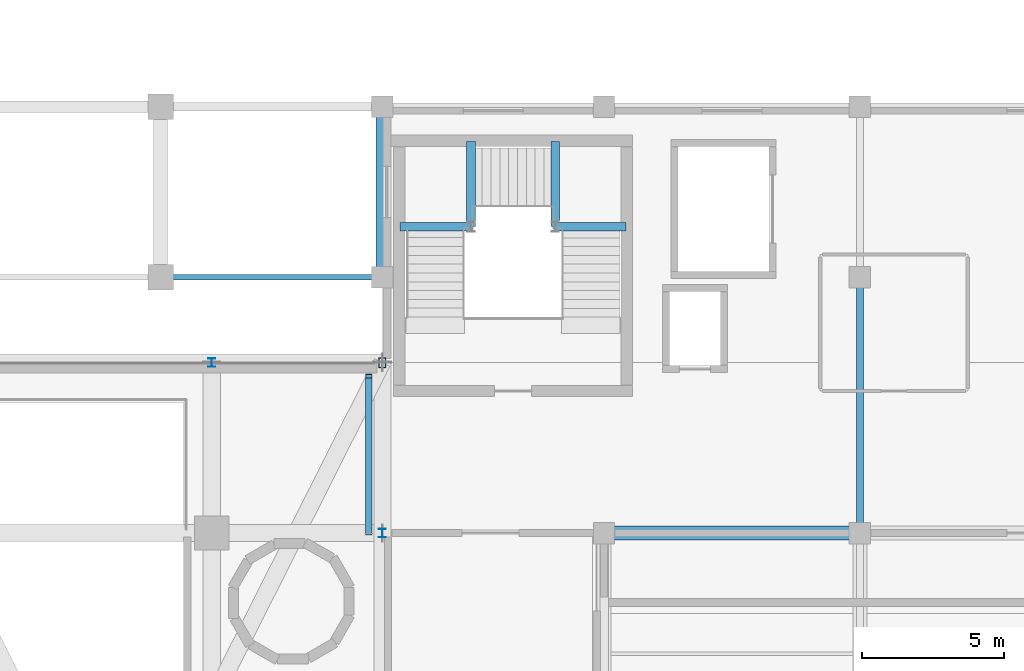
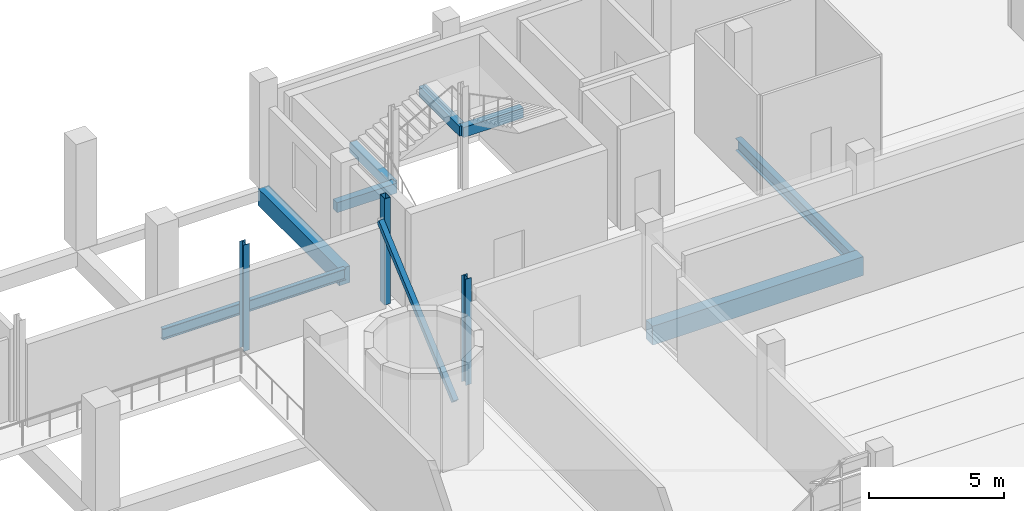
# One storey, part 42 of 100: 8 beams, 4 members.
"""IFC4 building model written with IfcOpenShell, lengths in metres."""

from ifc_helpers import new_model, si_unit, derived_unit, direction, frame, origin, origin_2d, place, context, subcontext, project, spatial, rectangle, hollow_rectangle, i_section, extrude, material, material_profile, profile_set, type_object, element, save


model = new_model("IFC4")

# Units and contexts
model_context = context("Model", 3, precision=1e-05, world=origin(), true_north=direction((0.0, 1.0)))
body_context = subcontext(model_context, "Body", "Model", "MODEL_VIEW")
ifc_project = project(units=[si_unit("LENGTHUNIT", "METRE"), si_unit("AREAUNIT", "SQUARE_METRE"), si_unit("VOLUMEUNIT", "CUBIC_METRE"), si_unit("PLANEANGLEUNIT", "RADIAN"), si_unit("MASSUNIT", "GRAM", prefix="KILO"), derived_unit("THERMALTRANSMITTANCEUNIT", [(si_unit("POWERUNIT", "WATT"), 1), (si_unit("LENGTHUNIT", "METRE"), -2), (si_unit("THERMODYNAMICTEMPERATUREUNIT", "KELVIN"), -1)])], contexts=[model_context])

# Site, building, storey
site_placement = place(None, origin())
site = spatial("IfcSite", under=ifc_project, at=site_placement, CompositionType="ELEMENT")
building_placement = place(site_placement, origin())
building = spatial("IfcBuilding", under=site, at=building_placement, Name="Nallur Shell Playhouse", CompositionType="ELEMENT")
storey_placement = place(building_placement, frame((0.0, 0.0, 10.199951171875)))
storey = spatial("IfcBuildingStorey", under=building, at=storey_placement, Name="L03", CompositionType="ELEMENT", Elevation=10.199951171875)

# Beams
ifc_material_1 = material(Name="Concrete M35", Category="concrete")
ifc_material_profile_1 = material_profile(ifc_material_1, rectangle(XDim=0.449951171875, YDim=0.75, at=origin_2d()), Name="RC 450x750")
ifc_profile_set_1 = profile_set([ifc_material_profile_1], Name="Concrete M35")
beam_type_1 = type_object("IfcBeamType", Name="BM-RC-450x750", PredefinedType="BEAM", material=ifc_profile_set_1)
beam_1_placement = place(storey_placement, frame((118.60009765625, 50.0, -0.635009765625), z_axis=(0.0, 1.0, 0.0), x_axis=(-1.0, 0.0, 0.0)))
element("IfcBeam", 1, at=beam_1_placement, inside=storey, type_object=beam_type_1, Name="L03 girder Y-15-670", PredefinedType="BEAM", context=body_context, shape_type="SweptSolid", body=[
    extrude(rectangle(XDim=0.449951171875, YDim=0.75, at=origin_2d()), origin(), (0.0, 0.0, 1.0), 6.0),
])
ifc_material_2 = material(Name="Concrete M40", Category="concrete")
ifc_material_profile_2 = material_profile(ifc_material_2, rectangle(XDim=0.5, YDim=0.85009765625, at=origin_2d()), Name="RC 500x850")
ifc_profile_set_2 = profile_set([ifc_material_profile_2], Name="Concrete M40")
beam_type_2 = type_object("IfcBeamType", Name="BM-RC-500x850", PredefinedType="BEAM", material=ifc_profile_set_2)
beam_2_placement = place(storey_placement, frame((126.39990234375, 41.0, -0.46484375), z_axis=(1.0, 0.0, 0.0), x_axis=(0.0, 1.0, 0.0)))
element("IfcBeam", 2, at=beam_2_placement, inside=storey, type_object=beam_type_2, Name="Studio raker end tie girder F (126.4-135.4)", PredefinedType="BEAM", context=body_context, shape_type="SweptSolid", body=[
    extrude(rectangle(XDim=0.5, YDim=0.85009765625, at=origin_2d()), origin(), (0.0, 0.0, 1.0), 9.0),
])
ifc_material_profile_3 = material_profile(ifc_material_1, rectangle(XDim=0.300048828125, YDim=0.449951171875, at=origin_2d()), Name="RC 300x450")
ifc_profile_set_3 = profile_set([ifc_material_profile_3], Name="Concrete M35")
beam_type_3 = type_object("IfcBeamType", Name="BM-SPN-300x450", PredefinedType="SPANDREL", material=ifc_profile_set_3)
beam_3_placement = place(storey_placement, frame((119.219970703125, 51.780029296875, 1.22509765625), z_axis=(1.0, 0.0, 0.0), x_axis=(0.0, 1.0, 0.0)))
element("IfcBeam", 3, at=beam_3_placement, inside=storey, type_object=beam_type_3, Name="Stair ST-02-L03 L1 south bearer beam", PredefinedType="SPANDREL", context=body_context, shape_type="SweptSolid", body=[
    extrude(rectangle(XDim=0.300048828125, YDim=0.449951171875, at=origin_2d()), origin(), (0.0, 0.0, 1.0), 2.56005859375),
])
beam_4_placement = place(storey_placement, frame((121.719970703125, 51.780029296875, 1.22509765625), z_axis=(0.0, 1.0, 0.0), x_axis=(-1.0, 0.0, 0.0)))
element("IfcBeam", 4, at=beam_4_placement, inside=storey, type_object=beam_type_3, Name="Stair ST-02-L03 L1 east bearer beam", PredefinedType="SPANDREL", context=body_context, shape_type="SweptSolid", body=[
    extrude(rectangle(XDim=0.300048828125, YDim=0.449951171875, at=origin_2d()), origin(), (0.0, 0.0, 1.0), 3.0),
])
beam_5_placement = place(storey_placement, frame((124.6201171875, 51.780029296875, 2.72509765625), z_axis=(1.0, 0.0, 0.0), x_axis=(0.0, 1.0, 0.0)))
element("IfcBeam", 5, at=beam_5_placement, inside=storey, type_object=beam_type_3, Name="Stair ST-02-L03 L2 south bearer beam", PredefinedType="SPANDREL", context=body_context, shape_type="SweptSolid", body=[
    extrude(rectangle(XDim=0.300048828125, YDim=0.449951171875, at=origin_2d()), origin(), (0.0, 0.0, 1.0), 2.559814453125),
])
beam_6_placement = place(storey_placement, frame((124.679931640625, 51.780029296875, 2.72509765625), z_axis=(0.0, 1.0, 0.0), x_axis=(-1.0, 0.0, 0.0)))
element("IfcBeam", 6, at=beam_6_placement, inside=storey, type_object=beam_type_3, Name="Stair ST-02-L03 L2 west bearer beam", PredefinedType="SPANDREL", context=body_context, shape_type="SweptSolid", body=[
    extrude(rectangle(XDim=0.300048828125, YDim=0.449951171875, at=origin_2d()), origin(), (0.0, 0.0, 1.0), 3.0),
])
ifc_material_3 = material(Name="Steel E350", Category="steel")
ifc_material_profile_4 = material_profile(ifc_material_3, i_section(OverallWidth=0.179931640625, OverallDepth=0.5, WebThickness=0.01025390625, FlangeThickness=0.01708984375, FilletRadius=0.01708984375, at=origin_2d()), Name="ISMB 500")
ifc_profile_set_4 = profile_set([ifc_material_profile_4], Name="Steel E350")
beam_type_4 = type_object("IfcBeamType", Name="BM-ST-ISMB500", PredefinedType="BEAM", material=ifc_profile_set_4)
beam_7_placement = place(storey_placement, frame((110.800048828125, 50.0, -0.510009765625), z_axis=(1.0, 0.0, 0.0), x_axis=(0.0, 1.0, 0.0)))
element("IfcBeam", 7, at=beam_7_placement, inside=storey, type_object=beam_type_4, Name="L03 girder X-F-602", PredefinedType="BEAM", context=body_context, shape_type="SweptSolid", body=[
    extrude(i_section(OverallWidth=0.179931640625, OverallDepth=0.5, WebThickness=0.01025390625, FlangeThickness=0.01708984375, FilletRadius=0.01708984375, at=origin_2d()), origin(), (0.0, 0.0, 1.0), 7.800048828125),
])
ifc_material_profile_5 = material_profile(ifc_material_3, i_section(OverallWidth=0.25, OverallDepth=0.550048828125, WebThickness=0.010498046875, FlangeThickness=0.017578125, FilletRadius=0.01611328125, at=origin_2d()), Name="ISWB 550")
ifc_profile_set_5 = profile_set([ifc_material_profile_5], Name="Steel E350")
beam_type_5 = type_object("IfcBeamType", Name="BM-ST-ISWB550", PredefinedType="BEAM", material=ifc_profile_set_5)
beam_8_placement = place(storey_placement, frame((135.39990234375, 41.0, -0.534912109375), z_axis=(0.0, 1.0, 0.0), x_axis=(-1.0, 0.0, 0.0)))
element("IfcBeam", 8, at=beam_8_placement, inside=storey, type_object=beam_type_5, Name="L03 girder Y-17-674", PredefinedType="BEAM", context=body_context, shape_type="SweptSolid", body=[
    extrude(i_section(OverallWidth=0.25, OverallDepth=0.550048828125, WebThickness=0.010498046875, FlangeThickness=0.017578125, FilletRadius=0.01611328125, at=origin_2d()), origin(), (0.0, 0.0, 1.0), 9.0),
])

# Members
ifc_material_profile_6 = material_profile(ifc_material_3, i_section(OverallWidth=0.25, OverallDepth=0.300048828125, WebThickness=0.009521484375, FlangeThickness=0.010498046875, FilletRadius=0.010986328125, at=origin_2d()), Name="ISHB 300")
ifc_profile_set_6 = profile_set([ifc_material_profile_6], Name="Steel E350")
member_type_1 = type_object("IfcMemberType", Name="MB-FASCIA-POST", PredefinedType="POST", material=ifc_profile_set_6)
for number, where, z_axis, x_axis, name in (
    (9, (112.60009765625, 47.0, 0.0), (0.0, 0.0, 1.0), (1.0, 0.0, 0.0), "Cantilever truss fascia post POST-GB-L03-10"),
    (10, (118.60009765625, 41.0, 0.0), (0.0, 0.0, 1.0), (1.0, 0.0, 0.0), "Cantilever truss fascia post POST-GB-L03-15"),
):
    element("IfcMember", number, at=place(storey_placement, frame(where, z_axis=z_axis, x_axis=x_axis)), inside=storey, type_object=member_type_1, Name=name, PredefinedType="POST", context=body_context, shape_type="SweptSolid", body=[
        extrude(i_section(OverallWidth=0.25, OverallDepth=0.300048828125, WebThickness=0.009521484375, FlangeThickness=0.010498046875, FilletRadius=0.010986328125, at=origin_2d()), origin(), (0.0, 0.0, 1.0), 4.800048828125),
    ])
ifc_material_profile_7 = material_profile(ifc_material_3, hollow_rectangle(XDim=0.25, YDim=0.35009765625, WallThickness=0.01611328125, at=origin_2d()), Name="RHS 350x250x16")
ifc_profile_set_7 = profile_set([ifc_material_profile_7], Name="Steel E350")
member_type_2 = type_object("IfcMemberType", Name="MB-FASCIA-RHS", PredefinedType="POST", material=ifc_profile_set_7)
member_1_placement = place(storey_placement, frame((118.60009765625, 47.0, 0.0), z_axis=(0.0, 0.0, 1.0), x_axis=(1.0, 0.0, 0.0)))
element("IfcMember", 11, at=member_1_placement, inside=storey, type_object=member_type_2, Name="Cantilever truss fascia post POST-GB-L03-11", PredefinedType="POST", context=body_context, shape_type="SweptSolid", body=[
    extrude(hollow_rectangle(XDim=0.25, YDim=0.35009765625, WallThickness=0.01611328125, at=origin_2d()), origin(), (0.0, 0.0, 1.0), 4.800048828125),
])
ifc_material_profile_8 = material_profile(ifc_material_3, hollow_rectangle(XDim=0.219970703125, YDim=0.219970703125, WallThickness=0.011962890625, at=origin_2d()), Name="SHS 220x220x12")
ifc_profile_set_8 = profile_set([ifc_material_profile_8], Name="Steel E350")
member_type_3 = type_object("IfcMemberType", Name="MB-FT-BRACE2", PredefinedType="BRACE", material=ifc_profile_set_8)
member_2_placement = place(storey_placement, frame((118.1201171875, 41.0, -0.659912109375), z_axis=(0.0, 0.754603366631, 0.656181193779), x_axis=(-1.0, 0.0, 0.0)))
element("IfcMember", 12, at=member_2_placement, inside=storey, type_object=member_type_3, Name="Gold box fascia brace L03-4", PredefinedType="BRACE", context=body_context, shape_type="SweptSolid", body=[
    extrude(hollow_rectangle(XDim=0.219970703125, YDim=0.219970703125, WallThickness=0.011962890625, at=origin_2d()), origin(), (0.0, 0.0, 1.0), 7.315185546875),
])

save(model, "model.ifc")
